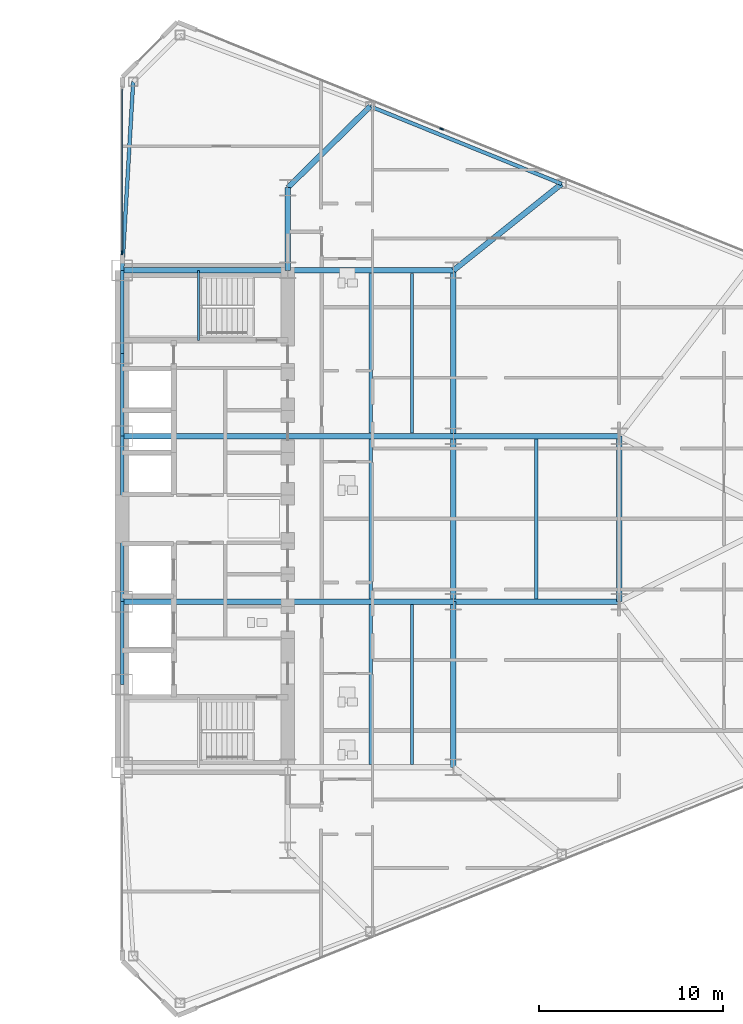
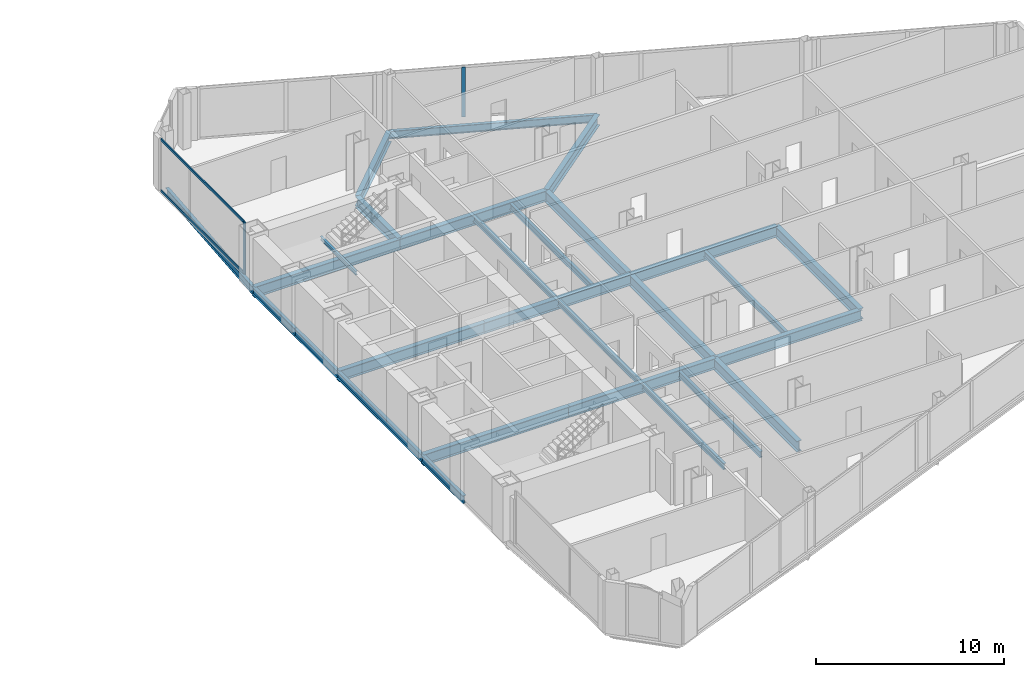
# One storey, part 11 of 25: 28 beams, 4 members, 2 elements without a shape of their own.
"""IFC4 building model written with IfcOpenShell, lengths in metres."""

from ifc_helpers import new_model, si_unit, direction, frame, origin, origin_2d, place, context, subcontext, project, spatial, rectangle, i_section, extrude, source, transform, mapped, material, layer, layer_set, material_profile, profile_set, type_object, type_shapes, element, aggregate, save


model = new_model("IFC4")

# Units and contexts
model_context = context("Model", 3, precision=1e-05, world=origin(), true_north=direction((0.0, 1.0)))
body_context = subcontext(model_context, "Body", "Model", "MODEL_VIEW")
ifc_project = project(units=[si_unit("LENGTHUNIT", "METRE"), si_unit("AREAUNIT", "SQUARE_METRE"), si_unit("VOLUMEUNIT", "CUBIC_METRE"), si_unit("PLANEANGLEUNIT", "RADIAN"), si_unit("MASSUNIT", "GRAM", prefix="KILO")], contexts=[model_context])

# Site, building, storey
site_placement = place(None, origin())
site = spatial("IfcSite", under=ifc_project, at=site_placement, CompositionType="ELEMENT")
building_placement = place(site_placement, origin())
building = spatial("IfcBuilding", under=site, at=building_placement, Name="Seokmaru Belvedere", CompositionType="ELEMENT")
storey_placement = place(building_placement, frame((0.0, 0.0, 36.89990234375)))
storey = spatial("IfcBuildingStorey", under=building, at=storey_placement, Name="L09", CompositionType="ELEMENT", Elevation=36.89990234375)

# Beams
ifc_material_1 = material(Name="Steel SM355 (355 MPa)", Category="steel")
ifc_material_profile_1 = material_profile(ifc_material_1, i_section(OverallWidth=0.199951171875, OverallDepth=0.5, WebThickness=0.010009765625, FlangeThickness=0.01611328125, at=origin_2d()), Name="H-500x200x10x16")
ifc_profile_set_1 = profile_set([ifc_material_profile_1], Name="Steel SM355 (355 MPa)")
beam_type_1 = type_object("IfcBeamType", Name="Perimeter Spandrel Beam H-500", PredefinedType="SPANDREL", material=ifc_profile_set_1)
shared_shape_1 = source(origin(), body_context, "Body", "SweptSolid", [
    extrude(i_section(OverallWidth=0.199951171875, OverallDepth=0.5, WebThickness=0.010009765625, FlangeThickness=0.01611328125, at=origin_2d()), origin(), (0.0, 0.0, 1.0), 4.5),
])
for number, where, z_axis, x_axis, name in (
    (1, (27.5, -9.0, -0.469970703125), (0.0, 1.0, 0.0), (-1.0, 0.0, 0.0), "L09 E Portal Spine Spandrel 2"),
    (2, (27.5, 4.5, -0.469970703125), (0.0, 1.0, 0.0), (-1.0, 0.0, 0.0), "L09 E Portal Spine Spandrel 4"),
    (3, (27.5, 9.0, -0.469970703125), (0.0, 1.0, 0.0), (-1.0, 0.0, 0.0), "L09 E Portal Spine Spandrel 5"),
):
    element("IfcBeam", number, at=place(storey_placement, frame(where, z_axis=z_axis, x_axis=x_axis)), inside=storey, type_object=beam_type_1, Name=name, PredefinedType="SPANDREL", context=body_context, shape_type="MappedRepresentation", body=[
        mapped(shared_shape_1, transform((0.0, 0.0, 0.0), scale=1.0)),
    ])
shared_shape_2 = source(origin(), body_context, "Body", "SweptSolid", [
    extrude(i_section(OverallWidth=0.199951171875, OverallDepth=0.5, WebThickness=0.010009765625, FlangeThickness=0.01611328125, at=origin_2d()), origin(), (0.0, 0.0, 1.0), 9.0),
])
beam_1_placement = place(storey_placement, frame((27.5, -4.5, -0.469970703125), z_axis=(0.0, 1.0, 0.0), x_axis=(-1.0, 0.0, 0.0)))
element("IfcBeam", 4, at=beam_1_placement, inside=storey, type_object=beam_type_1, Name="L09 E Portal Spine Spandrel 3", PredefinedType="SPANDREL", context=body_context, shape_type="MappedRepresentation", body=[
    mapped(shared_shape_2, transform((0.0, 0.0, 0.0), scale=1.0)),
])
ifc_material_profile_2 = material_profile(ifc_material_1, i_section(OverallWidth=0.300048828125, OverallDepth=0.699951171875, WebThickness=0.012939453125, FlangeThickness=0.02392578125, at=origin_2d()), Name="H-700x300x13x24")
ifc_profile_set_2 = profile_set([ifc_material_profile_2], Name="Steel SM355 (355 MPa)")
beam_type_2 = type_object("IfcBeamType", Name="Primary Floor Girder H-700", PredefinedType="BEAM", material=ifc_profile_set_2)
shared_shape_3 = source(origin(), body_context, "Body", "SweptSolid", [
    extrude(i_section(OverallWidth=0.300048828125, OverallDepth=0.699951171875, WebThickness=0.012939453125, FlangeThickness=0.02392578125, at=origin_2d()), origin(), (0.0, 0.0, 1.0), 4.5),
])
beam_2_placement = place(storey_placement, frame((36.5, 13.5, -0.56982421875), z_axis=(0.0, 1.0, 0.0), x_axis=(-1.0, 0.0, 0.0)))
element("IfcBeam", 5, at=beam_2_placement, inside=storey, type_object=beam_type_2, Name="L09 E Core Shoulder Girder N", PredefinedType="BEAM", context=body_context, shape_type="MappedRepresentation", body=[
    mapped(shared_shape_3, transform((0.0, 0.0, 0.0), scale=1.0)),
])
shared_shape_4 = source(origin(), body_context, "Body", "SweptSolid", [
    extrude(i_section(OverallWidth=0.300048828125, OverallDepth=0.699951171875, WebThickness=0.012939453125, FlangeThickness=0.02392578125, at=origin_2d()), origin(), (0.0, 0.0, 1.0), 9.0),
])
for number, where, z_axis, x_axis, name in (
    (6, (45.5, -13.5, -0.56982421875), (0.0, 1.0, 0.0), (-1.0, 0.0, 0.0), "L09 E Interior Grid Girder 1"),
    (7, (45.5, -4.5, -0.56982421875), (0.0, 1.0, 0.0), (-1.0, 0.0, 0.0), "L09 E Interior Grid Girder 2"),
    (8, (45.5, 4.5, -0.56982421875), (0.0, 1.0, 0.0), (-1.0, 0.0, 0.0), "L09 E Interior Grid Girder 3"),
    (9, (27.5, -4.5, -0.56982421875), (1.0, 0.0, 0.0), (0.0, 1.0, 0.0), "L09 E Core Tie Girder 2"),
    (10, (36.5, -4.5, -0.56982421875), (1.0, 0.0, 0.0), (0.0, 1.0, 0.0), "L09 E Wing Primary Girder 2"),
    (11, (27.5, 4.5, -0.56982421875), (1.0, 0.0, 0.0), (0.0, 1.0, 0.0), "L09 E Core Tie Girder 3"),
    (12, (36.5, 4.5, -0.56982421875), (1.0, 0.0, 0.0), (0.0, 1.0, 0.0), "L09 E Wing Primary Girder 3"),
    (13, (27.5, 13.5, -0.56982421875), (1.0, 0.0, 0.0), (0.0, 1.0, 0.0), "L09 E Core Tie Girder 4"),
    (14, (36.5, 13.5, -0.56982421875), (1.0, 0.0, 0.0), (0.0, 1.0, 0.0), "L09 E Wing Primary Girder 4"),
    (15, (45.5, -4.5, -0.56982421875), (1.0, 0.0, 0.0), (0.0, 1.0, 0.0), "L09 E Outer Wing Girder 1"),
    (16, (45.5, 4.5, -0.56982421875), (1.0, 0.0, 0.0), (0.0, 1.0, 0.0), "L09 E Outer Wing Girder 2"),
    (17, (54.5, -4.5, -0.56982421875), (0.0, 1.0, 0.0), (-1.0, 0.0, 0.0), "L09 E Apex Frame Girder"),
):
    element("IfcBeam", number, at=place(storey_placement, frame(where, z_axis=z_axis, x_axis=x_axis)), inside=storey, type_object=beam_type_2, Name=name, PredefinedType="BEAM", context=body_context, shape_type="MappedRepresentation", body=[
        mapped(shared_shape_4, transform((0.0, 0.0, 0.0), scale=1.0)),
    ])
ifc_material_profile_3 = material_profile(ifc_material_1, i_section(OverallWidth=0.18505859375, OverallDepth=0.389892578125, WebThickness=0.008056640625, FlangeThickness=0.011962890625, at=origin_2d()), Name="H-390x185x8x12")
ifc_profile_set_3 = profile_set([ifc_material_profile_3], Name="Steel SM355 (355 MPa)")
beam_type_3 = type_object("IfcBeamType", Name="Secondary Floor Joist H-350", PredefinedType="JOIST", material=ifc_profile_set_3)
shared_shape_5 = source(origin(), body_context, "Body", "SweptSolid", [
    extrude(i_section(OverallWidth=0.18505859375, OverallDepth=0.389892578125, WebThickness=0.008056640625, FlangeThickness=0.011962890625, at=origin_2d()), origin(), (0.0, 0.0, 1.0), 8.68994140625),
])
type_shapes(beam_type_3, [shared_shape_5])
for number, where, z_axis, x_axis, name in (
    (18, (43.25, -13.344970703125, -0.414794921875), (0.0, 1.0, 0.0), (-1.0, 0.0, 0.0), "L09 E Wing Inner Secondary Joist 1"),
    (19, (43.25, 4.655029296875, -0.414794921875), (0.0, 1.0, 0.0), (-1.0, 0.0, 0.0), "L09 E Wing Inner Secondary Joist 2"),
    (20, (41.0, -13.344970703125, -0.414794921875), (0.0, 1.0, 0.0), (-1.0, 0.0, 0.0), "L09 E Secondary Floor Joist 1"),
    (21, (41.0, -4.344970703125, -0.414794921875), (0.0, 1.0, 0.0), (-1.0, 0.0, 0.0), "L09 E Secondary Floor Joist 2"),
    (22, (41.0, 4.655029296875, -0.414794921875), (0.0, 1.0, 0.0), (-1.0, 0.0, 0.0), "L09 E Secondary Floor Joist 3"),
    (23, (50.0, -4.344970703125, -0.414794921875), (0.0, 1.0, 0.0), (-1.0, 0.0, 0.0), "L09 E Outer Bay Secondary Joist"),
):
    element("IfcBeam", number, at=place(storey_placement, frame(where, z_axis=z_axis, x_axis=x_axis)), inside=storey, type_object=beam_type_3, Name=name, PredefinedType="JOIST", context=body_context, shape_type="MappedRepresentation", body=[
        mapped(shared_shape_5, transform((0.0, 0.0, 0.0), scale=1.0)),
    ])
shared_shape_6 = source(origin(), body_context, "Body", "SweptSolid", [
    extrude(i_section(OverallWidth=0.199951171875, OverallDepth=0.5, WebThickness=0.010009765625, FlangeThickness=0.01611328125, at=origin_2d()), origin(), (0.0, 0.0, 1.0), 11.220703125),
])
beam_3_placement = place(storey_placement, frame((40.977294921875, 22.4140625, -0.469970703125), z_axis=(0.926944290816, -0.375198989503, 0.0), x_axis=(0.375198989503, 0.926944290816, 0.0)))
element("IfcBeam", 24, at=beam_3_placement, inside=storey, type_object=beam_type_1, Name="L09 E Faceted Flank Spandrel N-2", PredefinedType="SPANDREL", context=body_context, shape_type="MappedRepresentation", body=[
    mapped(shared_shape_6, transform((0.0, 0.0, 0.0), scale=1.0)),
])
shared_shape_7 = source(origin(), body_context, "Body", "SweptSolid", [
    extrude(i_section(OverallWidth=0.199951171875, OverallDepth=0.5, WebThickness=0.010009765625, FlangeThickness=0.01611328125, at=origin_2d()), origin(), (0.0, 0.0, 1.0), 10.26904296875),
])
type_shapes(beam_type_1, [shared_shape_1, shared_shape_2, shared_shape_6, shared_shape_7])
beam_4_placement = place(storey_placement, frame((28.10009765625, 23.75146484375, -0.469970703125), z_axis=(-0.058437709399, -0.998291056817, 0.0), x_axis=(0.998291056817, -0.058437709399, 0.0)))
element("IfcBeam", 25, at=beam_4_placement, inside=storey, type_object=beam_type_1, Name="L09 E Shoulder Spine Spandrel N", PredefinedType="SPANDREL", context=body_context, shape_type="MappedRepresentation", body=[
    mapped(shared_shape_7, transform((0.0, 0.0, 0.0), scale=1.0)),
])
shared_shape_8 = source(origin(), body_context, "Body", "SweptSolid", [
    extrude(i_section(OverallWidth=0.300048828125, OverallDepth=0.699951171875, WebThickness=0.012939453125, FlangeThickness=0.02392578125, at=origin_2d()), origin(), (0.0, 0.0, 1.0), 6.287353515625),
])
beam_5_placement = place(storey_placement, frame((40.977294921875, 22.4140625, -0.56982421875), z_axis=(-0.712117485263, -0.702060315915, 0.0), x_axis=(0.702060315915, -0.712117485263, 0.0)))
element("IfcBeam", 26, at=beam_5_placement, inside=storey, type_object=beam_type_2, Name="L09 E Flank Radial Floor Girder N-1", PredefinedType="BEAM", context=body_context, shape_type="MappedRepresentation", body=[
    mapped(shared_shape_8, transform((0.0, 0.0, 0.0), scale=1.0)),
])
shared_shape_9 = source(origin(), body_context, "Body", "SweptSolid", [
    extrude(i_section(OverallWidth=0.300048828125, OverallDepth=0.699951171875, WebThickness=0.012939453125, FlangeThickness=0.02392578125, at=origin_2d()), origin(), (0.0, 0.0, 1.0), 7.52880859375),
])
type_shapes(beam_type_2, [shared_shape_3, shared_shape_4, shared_shape_8, shared_shape_9])
beam_6_placement = place(storey_placement, frame((51.378173828125, 18.2041015625, -0.56982421875), z_axis=(-0.780767560736, -0.624821587418, 0.0), x_axis=(0.624821587418, -0.780767560736, 0.0)))
element("IfcBeam", 27, at=beam_6_placement, inside=storey, type_object=beam_type_2, Name="L09 E Flank Radial Floor Girder N-2", PredefinedType="BEAM", context=body_context, shape_type="MappedRepresentation", body=[
    mapped(shared_shape_9, transform((0.0, 0.0, 0.0), scale=1.0)),
])

# Curtain wall, members
ifc_material_2 = material(Name="Bronze Triple Insulating Glass", Category="glass")
ifc_layer = layer(ifc_material_2, 0.2099609375)
ifc_layer_set = layer_set([ifc_layer], Name="Bronze Triple Insulating Glass")
curtain_wall_type = type_object("IfcCurtainWallType", Name="Low-Rise Faceted Crystal Curtain Wall System CW-2", PredefinedType="NOTDEFINED", material=ifc_layer_set)
curtain_wall_1_placement = place(storey_placement, origin())
curtain_wall_1 = element("IfcCurtainWall", 28, at=curtain_wall_1_placement, inside=storey, type_object=curtain_wall_type, Name="L09 Curtain Wall ESP_2", PredefinedType="NOTDEFINED")
ifc_material_3 = material(Name="Anodised Bronze Aluminium", Category="aluminium")
ifc_material_profile_4 = material_profile(ifc_material_3, rectangle(XDim=0.074951171875, YDim=0.2099609375, at=origin_2d()), Name="CW-M-75x210")
ifc_profile_set_4 = profile_set([ifc_material_profile_4], Name="Anodised Bronze Aluminium")
member_type_1 = type_object("IfcMemberType", Name="Bronze Unitised Mullion 75x210", PredefinedType="MULLION", material=ifc_profile_set_4)
shared_shape_10 = source(origin(), body_context, "Body", "SweptSolid", [
    extrude(rectangle(XDim=0.074951171875, YDim=0.2099609375, at=origin_2d()), origin(), (0.0, 0.0, 1.0), 3.380126953125),
])
member_1_placement = place(storey_placement, frame((27.5, 14.467529296875, 0.0), z_axis=(0.0, 0.0, 1.0), x_axis=(1.0, 0.0, 0.0)))
member_1 = element("IfcMember", 29, at=member_1_placement, type_object=member_type_1, Name="CW:L09:ESP_2 Mullion 2", PredefinedType="MULLION", context=body_context, shape_type="MappedRepresentation", body=[
    mapped(shared_shape_10, transform((0.0, 0.0, 0.0), scale=1.0)),
])
ifc_material_profile_5 = material_profile(ifc_material_3, rectangle(XDim=0.070068359375, YDim=0.1650390625, at=origin_2d()), Name="CW-T-70x165")
ifc_profile_set_5 = profile_set([ifc_material_profile_5], Name="Anodised Bronze Aluminium")
member_type_2 = type_object("IfcMemberType", Name="Bronze Unitised Transom 70x165", PredefinedType="USERDEFINED", material=ifc_profile_set_5)
shared_shape_11 = source(origin(), body_context, "Body", "SweptSolid", [
    extrude(rectangle(XDim=0.070068359375, YDim=0.1650390625, at=origin_2d()), origin(), (0.0, 0.0, 1.0), 8.85009765625),
])
type_shapes(member_type_2, [shared_shape_11])
member_2_placement = place(storey_placement, frame((27.5, 23.35498046875, 0.03515625), z_axis=(0.0, -1.0, 0.0), x_axis=(1.0, 0.0, 0.0)))
member_2 = element("IfcMember", 30, at=member_2_placement, type_object=member_type_2, Name="CW:L09:ESP_2 Continuous Transom 1", ObjectType="TRANSOM", PredefinedType="USERDEFINED", context=body_context, shape_type="MappedRepresentation", body=[
    mapped(shared_shape_11, transform((0.0, 0.0, 0.0), scale=1.0)),
])
member_3_placement = place(storey_placement, frame((27.5, 23.35498046875, 3.34521484375), z_axis=(0.0, -1.0, 0.0), x_axis=(1.0, 0.0, 0.0)))
member_3 = element("IfcMember", 31, at=member_3_placement, type_object=member_type_2, Name="CW:L09:ESP_2 Continuous Transom 2", ObjectType="TRANSOM", PredefinedType="USERDEFINED", context=body_context, shape_type="MappedRepresentation", body=[
    mapped(shared_shape_11, transform((0.0, 0.0, 0.0), scale=1.0)),
])
aggregate(curtain_wall_1, [member_1, member_2, member_3])

# Curtain wall, member
curtain_wall_2_placement = place(storey_placement, origin())
curtain_wall_2 = element("IfcCurtainWall", 32, at=curtain_wall_2_placement, inside=storey, type_object=curtain_wall_type, Name="L09 Curtain Wall EF3", PredefinedType="NOTDEFINED")
shared_shape_12 = source(origin(), body_context, "Body", "SweptSolid", [
    extrude(rectangle(XDim=0.074951171875, YDim=0.2099609375, at=origin_2d()), origin(), (0.0, 0.0, 1.0), 3.239990234375),
])
type_shapes(member_type_1, [shared_shape_10, shared_shape_12])
member_4_placement = place(storey_placement, frame((44.855224609375, 21.189453125, 0.070068359375), z_axis=(0.0, 0.0, 1.0), x_axis=(-0.375192321888, -0.926946989637, 0.0)))
member_4 = element("IfcMember", 33, at=member_4_placement, type_object=member_type_1, Name="CW:L09:EF3 Mullion 7", PredefinedType="MULLION", context=body_context, shape_type="MappedRepresentation", body=[
    mapped(shared_shape_12, transform((0.0, 0.0, 0.0), scale=1.0)),
])
aggregate(curtain_wall_2, [member_4])

# Beam
ifc_material_profile_6 = material_profile(ifc_material_1, i_section(OverallWidth=0.125, OverallDepth=0.25, WebThickness=0.006103515625, FlangeThickness=0.009033203125, at=origin_2d()), Name="H-250x125x6x9")
ifc_profile_set_6 = profile_set([ifc_material_profile_6], Name="Steel SM355 (355 MPa)")
beam_type_4 = type_object("IfcBeamType", Name="Stair Mid-Landing Support Beam H-250", PredefinedType="JOIST", material=ifc_profile_set_6)
shared_shape_13 = source(origin(), body_context, "Body", "SweptSolid", [
    extrude(i_section(OverallWidth=0.125, OverallDepth=0.25, WebThickness=0.006103515625, FlangeThickness=0.009033203125, at=origin_2d()), origin(), (0.0, 0.0, 1.0), 3.800048828125),
])
type_shapes(beam_type_4, [shared_shape_13])
beam_7_placement = place(storey_placement, frame((31.64990234375, 9.699951171875, 1.47509765625), z_axis=(0.0, 1.0, 0.0), x_axis=(-1.0, 0.0, 0.0)))
element("IfcBeam", 34, at=beam_7_placement, inside=storey, type_object=beam_type_4, Name="L09 Stair ST-E2 Mid-Landing Support Beam 1", PredefinedType="JOIST", context=body_context, shape_type="MappedRepresentation", body=[
    mapped(shared_shape_13, transform((0.0, 0.0, 0.0), scale=1.0)),
])

save(model, "model.ifc")
